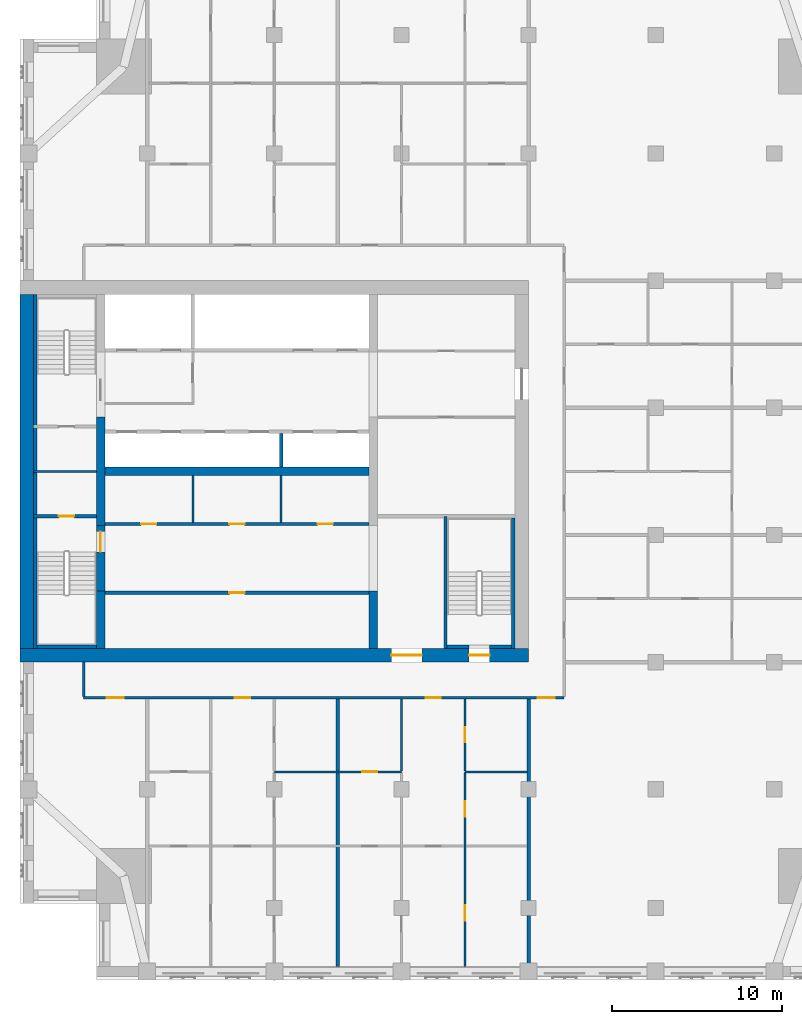
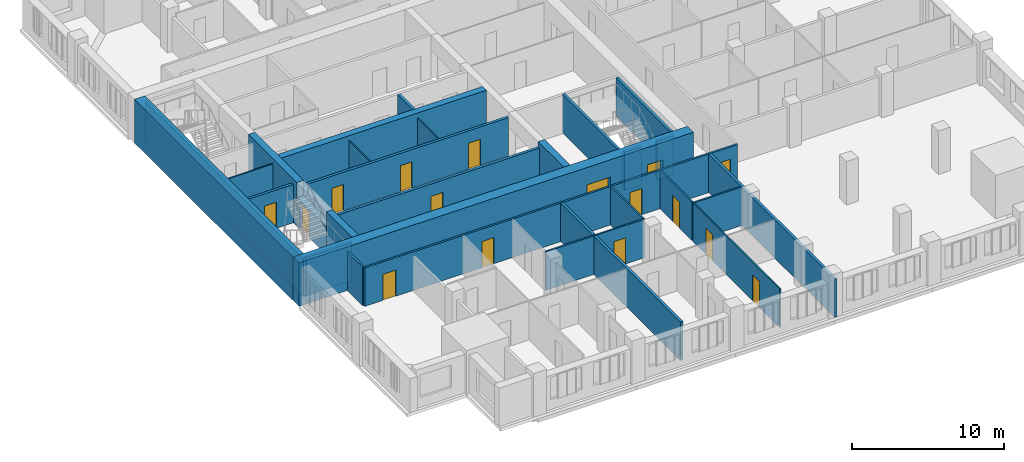
# One storey, part 7 of 14: 29 walls, 16 doors, 16 openings.
"""IFC4 building model written with IfcOpenShell, lengths in metres."""

from ifc_helpers import new_model, si_unit, direction, frame, frame_2d, origin, place, context, subcontext, project, spatial, rectangle, extrude, material, layer, layer_set, type_object, element, fill, save


model = new_model("IFC4")

# Units and contexts
model_context = context("Model", 3, precision=1e-05, world=origin(), true_north=direction((0.0, 1.0)))
body_context = subcontext(model_context, "Body", "Model", "MODEL_VIEW")
ifc_project = project(units=[si_unit("LENGTHUNIT", "METRE"), si_unit("AREAUNIT", "SQUARE_METRE"), si_unit("VOLUMEUNIT", "CUBIC_METRE"), si_unit("PLANEANGLEUNIT", "RADIAN"), si_unit("MASSUNIT", "GRAM", prefix="KILO")], contexts=[model_context])

# Site, building, storey
site_placement = place(None, origin())
site = spatial("IfcSite", under=ifc_project, at=site_placement, CompositionType="ELEMENT")
building_placement = place(site_placement, origin())
building = spatial("IfcBuilding", under=site, at=building_placement, Name="Tamorin Gate", CompositionType="ELEMENT")
storey_placement = place(building_placement, frame((0.0, 0.0, 210.699951171875)))
storey = spatial("IfcBuildingStorey", under=building, at=storey_placement, Name="L52", CompositionType="ELEMENT", Elevation=210.699951171875)

# Wall, openings, doors
ifc_material_1 = material(Name="Gypsum board partition")
ifc_layer_1 = layer(ifc_material_1, 0.14990234375)
ifc_layer_set_1 = layer_set([ifc_layer_1], Name="Corridor wall 150")
wall_type_1 = type_object("IfcWallType", Name="Corridor wall 150", PredefinedType="PARTITIONING", material=ifc_layer_set_1)
wall_1_placement = place(storey_placement, frame((33.75, 57.89990234375, 0.0), z_axis=(0.0, 0.0, 1.0), x_axis=(1.0, 0.0, 0.0)))
wall_1 = element("IfcWall", 1, at=wall_1_placement, inside=storey, type_object=wall_type_1, Name="Corridor wall 150", PredefinedType="PARTITIONING", context=body_context, shape_type="SweptSolid", body=[
    extrude(rectangle(XDim=28.35009765625, YDim=0.14990234375, at=frame_2d((14.175048828125, 0.0))), origin(), (0.0, 0.0, 1.0), 3.10009765625),
])
opening_1_placement = place(wall_1_placement, frame((1.375, 0.0, 0.0)))
opening_1 = element("IfcOpeningElement", 2, at=opening_1_placement, cuts=wall_1, Name="Opening DR2001", PredefinedType="OPENING", context=body_context, shape_type="SweptSolid", body=[
    extrude(rectangle(XDim=1.0, YDim=2.10009765625, at=frame_2d((0.5, 1.050048828125))), frame((0.0, 0.0849609375, 0.0), z_axis=(0.0, -1.0, 0.0), x_axis=(1.0, 0.0, 0.0)), (0.0, 0.0, 1.0), 0.169921875),
])
opening_2_placement = place(wall_1_placement, frame((8.925048828125, 0.0, 0.0)))
opening_2 = element("IfcOpeningElement", 3, at=opening_2_placement, cuts=wall_1, Name="Opening DR2004", PredefinedType="OPENING", context=body_context, shape_type="SweptSolid", body=[
    extrude(rectangle(XDim=0.89990234375, YDim=2.10009765625, at=frame_2d((0.449951171875, 1.050048828125))), frame((0.0, 0.0849609375, 0.0), z_axis=(0.0, -1.0, 0.0), x_axis=(1.0, 0.0, 0.0)), (0.0, 0.0, 1.0), 0.169921875),
])
opening_3_placement = place(wall_1_placement, frame((20.175048828125, 0.0, 0.0)))
opening_3 = element("IfcOpeningElement", 4, at=opening_3_placement, cuts=wall_1, Name="Opening DR2012", PredefinedType="OPENING", context=body_context, shape_type="SweptSolid", body=[
    extrude(rectangle(XDim=0.89990234375, YDim=2.10009765625, at=frame_2d((0.449951171875, 1.050048828125))), frame((0.0, 0.0849609375, 0.0), z_axis=(0.0, -1.0, 0.0), x_axis=(1.0, 0.0, 0.0)), (0.0, 0.0, 1.0), 0.169921875),
])
opening_4_placement = place(wall_1_placement, frame((26.800048828125, 0.0, 0.0)))
opening_4 = element("IfcOpeningElement", 5, at=opening_4_placement, cuts=wall_1, Name="Opening DR2018", PredefinedType="OPENING", context=body_context, shape_type="SweptSolid", body=[
    extrude(rectangle(XDim=1.0, YDim=2.10009765625, at=frame_2d((0.5, 1.050048828125))), frame((0.0, 0.0849609375, 0.0), z_axis=(0.0, -1.0, 0.0), x_axis=(1.0, 0.0, 0.0)), (0.0, 0.0, 1.0), 0.169921875),
])
ifc_material_2 = material(Name="Timber door leaf", Category="wood")
door_type_1 = type_object("IfcDoorType", Name="Door 1000 x 2100 FD30S", OperationType="NOTDEFINED", PredefinedType="DOOR", material=ifc_material_2)
door_1_placement = place(opening_1_placement, origin())
door_1 = element("IfcDoor", 6, at=door_1_placement, inside=storey, type_object=door_type_1, Name="Door DR2001", OperationType="SINGLE_SWING_RIGHT", OverallHeight=2.10009765625, OverallWidth=1.0, PredefinedType="DOOR", context=body_context, shape_type="SweptSolid", body=[
    extrude(rectangle(XDim=1.0, YDim=2.10009765625, at=frame_2d((0.5, 1.050048828125))), frame((0.0, 0.02490234375, 0.0), z_axis=(0.0, -1.0, 0.0), x_axis=(1.0, 0.0, 0.0)), (0.0, 0.0, 1.0), 0.050048828125),
])
fill(opening_1, door_1)
door_2_placement = place(opening_4_placement, origin())
door_2 = element("IfcDoor", 7, at=door_2_placement, inside=storey, type_object=door_type_1, Name="Door DR2018", OperationType="SINGLE_SWING_RIGHT", OverallHeight=2.10009765625, OverallWidth=1.0, PredefinedType="DOOR", context=body_context, shape_type="SweptSolid", body=[
    extrude(rectangle(XDim=1.0, YDim=2.10009765625, at=frame_2d((0.5, 1.050048828125))), frame((0.0, 0.02490234375, 0.0), z_axis=(0.0, -1.0, 0.0), x_axis=(1.0, 0.0, 0.0)), (0.0, 0.0, 1.0), 0.050048828125),
])
fill(opening_4, door_2)
door_type_2 = type_object("IfcDoorType", Name="Door 900 x 2100 FD30S", OperationType="NOTDEFINED", PredefinedType="DOOR", material=ifc_material_2)
door_3_placement = place(opening_2_placement, origin())
door_3 = element("IfcDoor", 8, at=door_3_placement, inside=storey, type_object=door_type_2, Name="Door DR2004", OperationType="SINGLE_SWING_RIGHT", OverallHeight=2.10009765625, OverallWidth=0.89990234375, PredefinedType="DOOR", context=body_context, shape_type="SweptSolid", body=[
    extrude(rectangle(XDim=0.89990234375, YDim=2.10009765625, at=frame_2d((0.449951171875, 1.050048828125))), frame((0.0, 0.02490234375, 0.0), z_axis=(0.0, -1.0, 0.0), x_axis=(1.0, 0.0, 0.0)), (0.0, 0.0, 1.0), 0.050048828125),
])
fill(opening_2, door_3)
door_4_placement = place(opening_3_placement, origin())
door_4 = element("IfcDoor", 9, at=door_4_placement, inside=storey, type_object=door_type_2, Name="Door DR2012", OperationType="SINGLE_SWING_RIGHT", OverallHeight=2.10009765625, OverallWidth=0.89990234375, PredefinedType="DOOR", context=body_context, shape_type="SweptSolid", body=[
    extrude(rectangle(XDim=0.89990234375, YDim=2.10009765625, at=frame_2d((0.449951171875, 1.050048828125))), frame((0.0, 0.02490234375, 0.0), z_axis=(0.0, -1.0, 0.0), x_axis=(1.0, 0.0, 0.0)), (0.0, 0.0, 1.0), 0.050048828125),
])
fill(opening_3, door_4)

# Walls
wall_2_placement = place(storey_placement, frame((33.75, 57.97509765625, 0.0), z_axis=(0.0, 0.0, 1.0), x_axis=(0.0, 1.0, 0.0)))
element("IfcWall", 10, at=wall_2_placement, inside=storey, type_object=wall_type_1, Name="Corridor wall 150", PredefinedType="PARTITIONING", context=body_context, shape_type="SweptSolid", body=[
    extrude(rectangle(XDim=2.02490234375, YDim=0.14990234375, at=frame_2d((1.012451171875, 0.0))), origin(), (0.0, 0.0, 1.0), 3.10009765625),
])
ifc_layer_2 = layer(ifc_material_1, 0.199951171875)
ifc_layer_set_2 = layer_set([ifc_layer_2], Name="Demising wall 200")
wall_type_2 = type_object("IfcWallType", Name="Demising wall 200", PredefinedType="PARTITIONING", material=ifc_layer_set_2)
wall_3_placement = place(storey_placement, frame((48.75, 42.06005859375, 0.0), z_axis=(0.0, 0.0, 1.0), x_axis=(0.0, 1.0, 0.0)))
element("IfcWall", 11, at=wall_3_placement, inside=storey, type_object=wall_type_2, Name="Demising wall 200", PredefinedType="PARTITIONING", context=body_context, shape_type="SweptSolid", body=[
    extrude(rectangle(XDim=15.764892578125, YDim=0.199951171875, at=frame_2d((7.88232421875, 0.0))), origin(), (0.0, 0.0, 1.0), 3.10009765625),
])
wall_4_placement = place(storey_placement, frame((60.0, 41.25, 0.0), z_axis=(0.0, 0.0, 1.0), x_axis=(0.0, 1.0, 0.0)))
element("IfcWall", 12, at=wall_4_placement, inside=storey, type_object=wall_type_2, Name="Demising wall 200", PredefinedType="PARTITIONING", context=body_context, shape_type="SweptSolid", body=[
    extrude(rectangle(XDim=16.574951171875, YDim=0.199951171875, at=frame_2d((8.28759765625, 0.0))), origin(), (0.0, 0.0, 1.0), 3.10009765625),
])
ifc_material_3 = material(Name="Concrete C32/40", Category="concrete")
ifc_layer_3 = layer(ifc_material_3, 0.199951171875)
ifc_layer_set_3 = layer_set([ifc_layer_3], Name="Lift shaft wall 200 EI 120")
wall_type_3 = type_object("IfcWallType", Name="Lift shaft wall 200 EI 120", PredefinedType="SOLIDWALL", material=ifc_layer_set_3)
wall_5_placement = place(storey_placement, frame((45.39990234375, 71.5, 0.0), z_axis=(0.0, 0.0, 1.0), x_axis=(0.0, 1.0, 0.0)))
element("IfcWall", 13, at=wall_5_placement, inside=storey, type_object=wall_type_3, Name="Lift shaft wall", PredefinedType="SOLIDWALL", context=body_context, shape_type="SweptSolid", body=[
    extrude(rectangle(XDim=2.0, YDim=0.199951171875, at=frame_2d((1.0, 0.0))), origin(), (0.0, 0.0, 1.0), 3.5),
])
ifc_material_4 = material(Name="Concrete C60/75", Category="concrete")
ifc_layer_4 = layer(ifc_material_4, 0.5)
ifc_layer_set_4 = layer_set([ifc_layer_4], Name="RC core internal wall 500 C60/75")
wall_type_4 = type_object("IfcWallType", Name="RC core internal wall 500 C60/75", PredefinedType="SHEAR", material=ifc_layer_set_4)
wall_6_placement = place(storey_placement, frame((35.0, 71.25, 0.0), z_axis=(0.0, 0.0, 1.0), x_axis=(1.0, 0.0, 0.0)))
element("IfcWall", 14, at=wall_6_placement, inside=storey, type_object=wall_type_4, Name="Core spine wall L52", PredefinedType="SHEAR", context=body_context, shape_type="SweptSolid", body=[
    extrude(rectangle(XDim=15.60009765625, YDim=0.5, at=frame_2d((7.800048828125, 0.0))), origin(), (0.0, 0.0, 1.0), 3.5),
])
wall_7_placement = place(storey_placement, frame((34.75, 60.800048828125, 0.0), z_axis=(0.0, 0.0, 1.0), x_axis=(0.0, 1.0, 0.0)))
element("IfcWall", 15, at=wall_7_placement, inside=storey, type_object=wall_type_4, Name="Core cross wall L52", PredefinedType="SHEAR", context=body_context, shape_type="SweptSolid", body=[
    extrude(rectangle(XDim=3.39990234375, YDim=0.5, at=frame_2d((1.699951171875, 0.0))), origin(), (0.0, 0.0, 1.0), 3.5),
])
wall_8_placement = place(storey_placement, frame((34.75, 68.050048828125, 0.0), z_axis=(0.0, 0.0, 1.0), x_axis=(0.0, 1.0, 0.0)))
element("IfcWall", 16, at=wall_8_placement, inside=storey, type_object=wall_type_4, Name="Core cross wall L52", PredefinedType="SHEAR", context=body_context, shape_type="SweptSolid", body=[
    extrude(rectangle(XDim=6.39990234375, YDim=0.5, at=frame_2d((3.199951171875, 0.0))), origin(), (0.0, 0.0, 1.0), 3.5),
])
wall_9_placement = place(storey_placement, frame((50.85009765625, 60.800048828125, 0.0), z_axis=(0.0, 0.0, 1.0), x_axis=(0.0, 1.0, 0.0)))
element("IfcWall", 17, at=wall_9_placement, inside=storey, type_object=wall_type_4, Name="Core cross wall L52", PredefinedType="SHEAR", context=body_context, shape_type="SweptSolid", body=[
    extrude(rectangle(XDim=3.39990234375, YDim=0.5, at=frame_2d((1.699951171875, 0.0))), origin(), (0.0, 0.0, 1.0), 3.5),
])

# Wall, openings, doors
ifc_layer_5 = layer(ifc_material_4, 0.800048828125)
ifc_layer_set_5 = layer_set([ifc_layer_5], Name="RC core wall 800 C60/75")
wall_type_5 = type_object("IfcWallType", Name="RC core wall 800 C60/75", PredefinedType="SHEAR", material=ifc_layer_set_5)
wall_10_placement = place(storey_placement, frame((30.0, 60.39990234375, 0.0), z_axis=(0.0, 0.0, 1.0), x_axis=(1.0, 0.0, 0.0)))
wall_10 = element("IfcWall", 18, at=wall_10_placement, inside=storey, type_object=wall_type_5, Name="Core wall L52", PredefinedType="SHEAR", context=body_context, shape_type="SweptSolid", body=[
    extrude(rectangle(XDim=30.0, YDim=0.800048828125, at=frame_2d((15.0, 0.0))), origin(), (0.0, 0.0, 1.0), 3.5),
])
opening_5_placement = place(wall_10_placement, frame((21.89990234375, 0.0, 0.0)))
opening_5 = element("IfcOpeningElement", 19, at=opening_5_placement, cuts=wall_10, Name="Opening DE1", PredefinedType="OPENING", context=body_context, shape_type="SweptSolid", body=[
    extrude(rectangle(XDim=1.800048828125, YDim=2.10009765625, at=frame_2d((0.89990234375, 1.050048828125))), frame((0.0, 0.409912109375, 0.0), z_axis=(0.0, -1.0, 0.0), x_axis=(1.0, 0.0, 0.0)), (0.0, 0.0, 1.0), 0.820068359375),
])
opening_6_placement = place(wall_10_placement, frame((26.5, 0.0, 0.0)))
opening_6 = element("IfcOpeningElement", 20, at=opening_6_placement, cuts=wall_10, Name="Opening DS1", PredefinedType="OPENING", context=body_context, shape_type="SweptSolid", body=[
    extrude(rectangle(XDim=1.199951171875, YDim=2.10009765625, at=frame_2d((0.60009765625, 1.050048828125))), frame((0.0, 0.409912109375, 0.0), z_axis=(0.0, -1.0, 0.0), x_axis=(1.0, 0.0, 0.0)), (0.0, 0.0, 1.0), 0.820068359375),
])
ifc_material_5 = material(Name="Steel fire door", Category="steel")
door_type_3 = type_object("IfcDoorType", Name="Lobby exit double door 1800 x 2100 EI 60", OperationType="DOUBLE_DOOR_SINGLE_SWING", PredefinedType="DOOR", material=ifc_material_5)
door_5_placement = place(opening_5_placement, origin())
door_5 = element("IfcDoor", 21, at=door_5_placement, inside=storey, type_object=door_type_3, Name="Lift lobby A exit door", OperationType="DOUBLE_DOOR_SINGLE_SWING", OverallHeight=2.10009765625, OverallWidth=1.800048828125, PredefinedType="DOOR", context=body_context, shape_type="SweptSolid", body=[
    extrude(rectangle(XDim=1.800048828125, YDim=2.10009765625, at=frame_2d((0.89990234375, 1.050048828125))), frame((0.0, 0.02490234375, 0.0), z_axis=(0.0, -1.0, 0.0), x_axis=(1.0, 0.0, 0.0)), (0.0, 0.0, 1.0), 0.050048828125),
])
fill(opening_5, door_5)
door_type_4 = type_object("IfcDoorType", Name="Stair door 1200 x 2100 EI 90", OperationType="SINGLE_SWING_LEFT", PredefinedType="DOOR", material=ifc_material_5)
door_6_placement = place(opening_6_placement, origin())
door_6 = element("IfcDoor", 22, at=door_6_placement, inside=storey, type_object=door_type_4, Name="ST3 door", OperationType="SINGLE_SWING_LEFT", OverallHeight=2.10009765625, OverallWidth=1.199951171875, PredefinedType="DOOR", context=body_context, shape_type="SweptSolid", body=[
    extrude(rectangle(XDim=1.199951171875, YDim=2.10009765625, at=frame_2d((0.60009765625, 1.050048828125))), frame((0.0, 0.02490234375, 0.0), z_axis=(0.0, -1.0, 0.0), x_axis=(1.0, 0.0, 0.0)), (0.0, 0.0, 1.0), 0.050048828125),
])
fill(opening_6, door_6)

# Walls
wall_11_placement = place(storey_placement, frame((30.39990234375, 60.800048828125, 0.0), z_axis=(0.0, 0.0, 1.0), x_axis=(0.0, 1.0, 0.0)))
element("IfcWall", 23, at=wall_11_placement, inside=storey, type_object=wall_type_5, Name="Core wall L52", PredefinedType="SHEAR", context=body_context, shape_type="SweptSolid", body=[
    extrude(rectangle(XDim=20.89990234375, YDim=0.800048828125, at=frame_2d((10.449951171875, 0.0))), origin(), (0.0, 0.0, 1.0), 3.5),
])
ifc_material_6 = material(Name="Fire-rated gypsum board partition")
ifc_layer_6 = layer(ifc_material_6, 0.10009765625)
ifc_layer_set_6 = layer_set([ifc_layer_6], Name="Riser partition 100 EI 120")
wall_type_6 = type_object("IfcWallType", Name="Riser partition 100 EI 120", PredefinedType="PARTITIONING", material=ifc_layer_set_6)
wall_12_placement = place(storey_placement, frame((30.800048828125, 71.25, 0.0), z_axis=(0.0, 0.0, 1.0), x_axis=(1.0, 0.0, 0.0)))
element("IfcWall", 24, at=wall_12_placement, inside=storey, type_object=wall_type_6, Name="Riser partition", PredefinedType="PARTITIONING", context=body_context, shape_type="SweptSolid", body=[
    extrude(rectangle(XDim=3.699951171875, YDim=0.10009765625, at=frame_2d((1.85009765625, 0.0))), origin(), (0.0, 0.0, 1.0), 3.090087890625),
])

# Wall, openings, doors
ifc_layer_7 = layer(ifc_material_1, 0.10009765625)
ifc_layer_set_7 = layer_set([ifc_layer_7], Name="Room partition 100")
wall_type_7 = type_object("IfcWallType", Name="Room partition 100", PredefinedType="PARTITIONING", material=ifc_layer_set_7)
wall_13_placement = place(storey_placement, frame((56.25, 42.06005859375, 0.0), z_axis=(0.0, 0.0, 1.0), x_axis=(0.0, 1.0, 0.0)))
wall_13 = element("IfcWall", 25, at=wall_13_placement, inside=storey, type_object=wall_type_7, Name="Room partition 100", PredefinedType="PARTITIONING", context=body_context, shape_type="SweptSolid", body=[
    extrude(rectangle(XDim=11.40234375, YDim=0.10009765625, at=frame_2d((5.701171875, 0.0))), origin(), (0.0, 0.0, 1.0), 3.10009765625),
])
opening_7_placement = place(wall_13_placement, frame((8.827392578125, 0.0, 0.0)))
opening_7 = element("IfcOpeningElement", 26, at=opening_7_placement, cuts=wall_13, Name="Opening DR2014", PredefinedType="OPENING", context=body_context, shape_type="SweptSolid", body=[
    extrude(rectangle(XDim=0.89990234375, YDim=2.10009765625, at=frame_2d((0.449951171875, 1.050048828125))), frame((0.0, 0.06005859375, 0.0), z_axis=(0.0, -1.0, 0.0), x_axis=(1.0, 0.0, 0.0)), (0.0, 0.0, 1.0), 0.1201171875),
])
opening_8_placement = place(wall_13_placement, frame((2.68994140625, 0.0, 0.0)))
opening_8 = element("IfcOpeningElement", 27, at=opening_8_placement, cuts=wall_13, Name="Opening DR2017", PredefinedType="OPENING", context=body_context, shape_type="SweptSolid", body=[
    extrude(rectangle(XDim=0.89990234375, YDim=2.10009765625, at=frame_2d((0.449951171875, 1.050048828125))), frame((0.0, 0.06005859375, 0.0), z_axis=(0.0, -1.0, 0.0), x_axis=(1.0, 0.0, 0.0)), (0.0, 0.0, 1.0), 0.1201171875),
])
door_type_5 = type_object("IfcDoorType", Name="Door 900 x 2100", OperationType="NOTDEFINED", PredefinedType="DOOR", material=ifc_material_2)
door_7_placement = place(opening_7_placement, origin())
door_7 = element("IfcDoor", 28, at=door_7_placement, inside=storey, type_object=door_type_5, Name="Door DR2014", OperationType="SINGLE_SWING_RIGHT", OverallHeight=2.10009765625, OverallWidth=0.89990234375, PredefinedType="DOOR", context=body_context, shape_type="SweptSolid", body=[
    extrude(rectangle(XDim=0.89990234375, YDim=2.10009765625, at=frame_2d((0.449951171875, 1.050048828125))), frame((0.0, 0.02490234375, 0.0), z_axis=(0.0, -1.0, 0.0), x_axis=(1.0, 0.0, 0.0)), (0.0, 0.0, 1.0), 0.050048828125),
])
fill(opening_7, door_7)
door_8_placement = place(opening_8_placement, origin())
door_8 = element("IfcDoor", 29, at=door_8_placement, inside=storey, type_object=door_type_5, Name="Door DR2017", OperationType="SINGLE_SWING_LEFT", OverallHeight=2.10009765625, OverallWidth=0.89990234375, PredefinedType="DOOR", context=body_context, shape_type="SweptSolid", body=[
    extrude(rectangle(XDim=0.89990234375, YDim=2.10009765625, at=frame_2d((0.449951171875, 1.050048828125))), frame((0.0, 0.02490234375, 0.0), z_axis=(0.0, -1.0, 0.0), x_axis=(1.0, 0.0, 0.0)), (0.0, 0.0, 1.0), 0.050048828125),
])
fill(opening_8, door_8)

# Wall, opening, door
ifc_layer_8 = layer(ifc_material_1, 0.199951171875)
ifc_layer_set_8 = layer_set([ifc_layer_8], Name="Service room face wall 200 EI 60")
wall_type_8 = type_object("IfcWallType", Name="Service room face wall 200 EI 60", PredefinedType="PARTITIONING", material=ifc_layer_set_8)
wall_14_placement = place(storey_placement, frame((35.0, 64.10009765625, 0.0), z_axis=(0.0, 0.0, 1.0), x_axis=(1.0, 0.0, 0.0)))
wall_14 = element("IfcWall", 30, at=wall_14_placement, inside=storey, type_object=wall_type_8, Name="Service room face wall", PredefinedType="PARTITIONING", context=body_context, shape_type="SweptSolid", body=[
    extrude(rectangle(XDim=15.60009765625, YDim=0.199951171875, at=frame_2d((7.800048828125, 0.0))), origin(), (0.0, 0.0, 1.0), 3.090087890625),
])
opening_9_placement = place(wall_14_placement, frame((7.35009765625, 0.0, 0.0)))
opening_9 = element("IfcOpeningElement", 31, at=opening_9_placement, cuts=wall_14, Name="Opening DK1", PredefinedType="OPENING", context=body_context, shape_type="SweptSolid", body=[
    extrude(rectangle(XDim=0.89990234375, YDim=2.10009765625, at=frame_2d((0.449951171875, 1.050048828125))), frame((0.0, 0.10986328125, 0.0), z_axis=(0.0, -1.0, 0.0), x_axis=(1.0, 0.0, 0.0)), (0.0, 0.0, 1.0), 0.219970703125),
])
ifc_material_7 = material(Name="Timber fire door", Category="wood")
door_type_6 = type_object("IfcDoorType", Name="Service room door 900 x 2100 EI 60", OperationType="SINGLE_SWING_LEFT", PredefinedType="DOOR", material=ifc_material_7)
door_9_placement = place(opening_9_placement, origin())
door_9 = element("IfcDoor", 32, at=door_9_placement, inside=storey, type_object=door_type_6, Name="Door Resident storage room", OperationType="SINGLE_SWING_RIGHT", OverallHeight=2.10009765625, OverallWidth=0.89990234375, PredefinedType="DOOR", context=body_context, shape_type="SweptSolid", body=[
    extrude(rectangle(XDim=0.89990234375, YDim=2.10009765625, at=frame_2d((0.449951171875, 1.050048828125))), frame((0.0, 0.02490234375, 0.0), z_axis=(0.0, -1.0, 0.0), x_axis=(1.0, 0.0, 0.0)), (0.0, 0.0, 1.0), 0.050048828125),
])
fill(opening_9, door_9)

# Wall, openings, doors
wall_15_placement = place(storey_placement, frame((35.0, 68.14990234375, 0.0), z_axis=(0.0, 0.0, 1.0), x_axis=(1.0, 0.0, 0.0)))
wall_15 = element("IfcWall", 33, at=wall_15_placement, inside=storey, type_object=wall_type_8, Name="Service room face wall", PredefinedType="PARTITIONING", context=body_context, shape_type="SweptSolid", body=[
    extrude(rectangle(XDim=15.60009765625, YDim=0.199951171875, at=frame_2d((7.800048828125, 0.0))), origin(), (0.0, 0.0, 1.0), 3.090087890625),
])
opening_10_placement = place(wall_15_placement, frame((2.14990234375, 0.0, 0.0)))
opening_10 = element("IfcOpeningElement", 34, at=opening_10_placement, cuts=wall_15, Name="Opening DK1", PredefinedType="OPENING", context=body_context, shape_type="SweptSolid", body=[
    extrude(rectangle(XDim=0.89990234375, YDim=2.10009765625, at=frame_2d((0.449951171875, 1.050048828125))), frame((0.0, 0.10986328125, 0.0), z_axis=(0.0, -1.0, 0.0), x_axis=(1.0, 0.0, 0.0)), (0.0, 0.0, 1.0), 0.219970703125),
])
opening_11_placement = place(wall_15_placement, frame((7.35009765625, 0.0, 0.0)))
opening_11 = element("IfcOpeningElement", 35, at=opening_11_placement, cuts=wall_15, Name="Opening DK1", PredefinedType="OPENING", context=body_context, shape_type="SweptSolid", body=[
    extrude(rectangle(XDim=0.89990234375, YDim=2.10009765625, at=frame_2d((0.449951171875, 1.050048828125))), frame((0.0, 0.10986328125, 0.0), z_axis=(0.0, -1.0, 0.0), x_axis=(1.0, 0.0, 0.0)), (0.0, 0.0, 1.0), 0.219970703125),
])
opening_12_placement = place(wall_15_placement, frame((12.550048828125, 0.0, 0.0)))
opening_12 = element("IfcOpeningElement", 36, at=opening_12_placement, cuts=wall_15, Name="Opening DK1", PredefinedType="OPENING", context=body_context, shape_type="SweptSolid", body=[
    extrude(rectangle(XDim=0.89990234375, YDim=2.10009765625, at=frame_2d((0.449951171875, 1.050048828125))), frame((0.0, 0.10986328125, 0.0), z_axis=(0.0, -1.0, 0.0), x_axis=(1.0, 0.0, 0.0)), (0.0, 0.0, 1.0), 0.219970703125),
])
door_10_placement = place(opening_10_placement, origin())
door_10 = element("IfcDoor", 37, at=door_10_placement, inside=storey, type_object=door_type_6, Name="Door Cleaner's store", OperationType="SINGLE_SWING_RIGHT", OverallHeight=2.10009765625, OverallWidth=0.89990234375, PredefinedType="DOOR", context=body_context, shape_type="SweptSolid", body=[
    extrude(rectangle(XDim=0.89990234375, YDim=2.10009765625, at=frame_2d((0.449951171875, 1.050048828125))), frame((0.0, 0.02490234375, 0.0), z_axis=(0.0, -1.0, 0.0), x_axis=(1.0, 0.0, 0.0)), (0.0, 0.0, 1.0), 0.050048828125),
])
fill(opening_10, door_10)
door_11_placement = place(opening_11_placement, origin())
door_11 = element("IfcDoor", 38, at=door_11_placement, inside=storey, type_object=door_type_6, Name="Door Pantry", OperationType="SINGLE_SWING_LEFT", OverallHeight=2.10009765625, OverallWidth=0.89990234375, PredefinedType="DOOR", context=body_context, shape_type="SweptSolid", body=[
    extrude(rectangle(XDim=0.89990234375, YDim=2.10009765625, at=frame_2d((0.449951171875, 1.050048828125))), frame((0.0, 0.02490234375, 0.0), z_axis=(0.0, -1.0, 0.0), x_axis=(1.0, 0.0, 0.0)), (0.0, 0.0, 1.0), 0.050048828125),
])
fill(opening_11, door_11)
door_12_placement = place(opening_12_placement, origin())
door_12 = element("IfcDoor", 39, at=door_12_placement, inside=storey, type_object=door_type_6, Name="Door IT room", OperationType="SINGLE_SWING_RIGHT", OverallHeight=2.10009765625, OverallWidth=0.89990234375, PredefinedType="DOOR", context=body_context, shape_type="SweptSolid", body=[
    extrude(rectangle(XDim=0.89990234375, YDim=2.10009765625, at=frame_2d((0.449951171875, 1.050048828125))), frame((0.0, 0.02490234375, 0.0), z_axis=(0.0, -1.0, 0.0), x_axis=(1.0, 0.0, 0.0)), (0.0, 0.0, 1.0), 0.050048828125),
])
fill(opening_12, door_12)

# Walls
ifc_layer_9 = layer(ifc_material_1, 0.10009765625)
ifc_layer_set_9 = layer_set([ifc_layer_9], Name="Service room partition 100 EI 60")
wall_type_9 = type_object("IfcWallType", Name="Service room partition 100 EI 60", PredefinedType="PARTITIONING", material=ifc_layer_set_9)
for number, where, z_axis, x_axis, name in (
    (40, (40.199951171875, 68.25, 0.0), (0.0, 0.0, 1.0), (0.0, 1.0, 0.0), "Service room partition"),
    (41, (45.39990234375, 68.25, 0.0), (0.0, 0.0, 1.0), (0.0, 1.0, 0.0), "Service room partition"),
):
    element("IfcWall", number, at=place(storey_placement, frame(where, z_axis=z_axis, x_axis=x_axis)), inside=storey, type_object=wall_type_9, Name=name, PredefinedType="PARTITIONING", context=body_context, shape_type="SweptSolid", body=[
        extrude(rectangle(XDim=2.75, YDim=0.10009765625, at=frame_2d((1.375, 0.0))), origin(), (0.0, 0.0, 1.0), 3.090087890625),
    ])

# Wall, opening, door
ifc_material_8 = material(Name="Concrete C40/50", Category="concrete")
ifc_layer_10 = layer(ifc_material_8, 0.199951171875)
ifc_layer_set_10 = layer_set([ifc_layer_10], Name="Stair enclosure wall 200 EI 120 C40/50")
wall_type_10 = type_object("IfcWallType", Name="Stair enclosure wall 200 EI 120 C40/50", PredefinedType="SOLIDWALL", material=ifc_layer_set_10)
wall_16_placement = place(storey_placement, frame((30.800048828125, 68.60009765625, 0.0), z_axis=(0.0, 0.0, 1.0), x_axis=(1.0, 0.0, 0.0)))
wall_16 = element("IfcWall", 42, at=wall_16_placement, inside=storey, type_object=wall_type_10, Name="Stair enclosure wall", PredefinedType="SOLIDWALL", context=body_context, shape_type="SweptSolid", body=[
    extrude(rectangle(XDim=3.699951171875, YDim=0.199951171875, at=frame_2d((1.85009765625, 0.0))), origin(), (0.0, 0.0, 1.0), 3.090087890625),
])
opening_13_placement = place(wall_16_placement, frame((1.5, 0.0, 0.0)))
opening_13 = element("IfcOpeningElement", 43, at=opening_13_placement, cuts=wall_16, Name="Opening DR1", PredefinedType="OPENING", context=body_context, shape_type="SweptSolid", body=[
    extrude(rectangle(XDim=0.89990234375, YDim=2.10009765625, at=frame_2d((0.449951171875, 1.050048828125))), frame((0.0, 0.10986328125, 0.0), z_axis=(0.0, -1.0, 0.0), x_axis=(1.0, 0.0, 0.0)), (0.0, 0.0, 1.0), 0.219970703125),
])
door_type_7 = type_object("IfcDoorType", Name="Riser access door 900 x 2100 EI 120", OperationType="SINGLE_SWING_LEFT", PredefinedType="DOOR", material=ifc_material_5)
door_13_placement = place(opening_13_placement, origin())
door_13 = element("IfcDoor", 44, at=door_13_placement, inside=storey, type_object=door_type_7, Name="Electrical riser door", OperationType="SINGLE_SWING_LEFT", OverallHeight=2.10009765625, OverallWidth=0.89990234375, PredefinedType="DOOR", context=body_context, shape_type="SweptSolid", body=[
    extrude(rectangle(XDim=0.89990234375, YDim=2.10009765625, at=frame_2d((0.449951171875, 1.050048828125))), frame((0.0, 0.02490234375, 0.0), z_axis=(0.0, -1.0, 0.0), x_axis=(1.0, 0.0, 0.0)), (0.0, 0.0, 1.0), 0.050048828125),
])
fill(opening_13, door_13)

# Walls
wall_17_placement = place(storey_placement, frame((55.10009765625, 60.800048828125, 0.0), z_axis=(0.0, 0.0, 1.0), x_axis=(0.0, 1.0, 0.0)))
element("IfcWall", 45, at=wall_17_placement, inside=storey, type_object=wall_type_10, Name="Stair enclosure wall", PredefinedType="SOLIDWALL", context=body_context, shape_type="SweptSolid", body=[
    extrude(rectangle(XDim=7.800048828125, YDim=0.199951171875, at=frame_2d((3.89990234375, 0.0))), origin(), (0.0, 0.0, 1.0), 3.090087890625),
])
ifc_layer_11 = layer(ifc_material_4, 0.199951171875)
ifc_layer_set_11 = layer_set([ifc_layer_11], Name="Stair lining wall 200 EI 120 C60/75")
wall_type_11 = type_object("IfcWallType", Name="Stair lining wall 200 EI 120 C60/75", PredefinedType="SOLIDWALL", material=ifc_layer_set_11)
wall_18_placement = place(storey_placement, frame((30.89990234375, 60.800048828125, 0.0), z_axis=(0.0, 0.0, 1.0), x_axis=(0.0, 1.0, 0.0)))
element("IfcWall", 46, at=wall_18_placement, inside=storey, type_object=wall_type_11, Name="Stair lining wall", PredefinedType="SOLIDWALL", context=body_context, shape_type="SweptSolid", body=[
    extrude(rectangle(XDim=20.89990234375, YDim=0.199951171875, at=frame_2d((10.449951171875, 0.0))), origin(), (0.0, 0.0, 1.0), 3.090087890625),
])
wall_19_placement = place(storey_placement, frame((31.0, 60.89990234375, 0.0), z_axis=(0.0, 0.0, 1.0), x_axis=(1.0, 0.0, 0.0)))
element("IfcWall", 47, at=wall_19_placement, inside=storey, type_object=wall_type_11, Name="Stair lining wall", PredefinedType="SOLIDWALL", context=body_context, shape_type="SweptSolid", body=[
    extrude(rectangle(XDim=3.5, YDim=0.199951171875, at=frame_2d((1.75, 0.0))), origin(), (0.0, 0.0, 1.0), 3.090087890625),
])
for number, where, z_axis, x_axis, name in (
    (48, (55.199951171875, 60.89990234375, 0.0), (0.0, 0.0, 1.0), (1.0, 0.0, 0.0), "Stair lining wall"),
    (49, (57.699951171875, 60.89990234375, 0.0), (0.0, 0.0, 1.0), (1.0, 0.0, 0.0), "Stair lining wall"),
):
    element("IfcWall", number, at=place(storey_placement, frame(where, z_axis=z_axis, x_axis=x_axis)), inside=storey, type_object=wall_type_11, Name=name, PredefinedType="SOLIDWALL", context=body_context, shape_type="SweptSolid", body=[
        extrude(rectangle(XDim=1.300048828125, YDim=0.199951171875, at=frame_2d((0.64990234375, 0.0))), origin(), (0.0, 0.0, 1.0), 3.090087890625),
    ])
wall_20_placement = place(storey_placement, frame((59.10009765625, 60.800048828125, 0.0), z_axis=(0.0, 0.0, 1.0), x_axis=(0.0, 1.0, 0.0)))
element("IfcWall", 50, at=wall_20_placement, inside=storey, type_object=wall_type_11, Name="Stair lining wall", PredefinedType="SOLIDWALL", context=body_context, shape_type="SweptSolid", body=[
    extrude(rectangle(XDim=7.699951171875, YDim=0.199951171875, at=frame_2d((3.85009765625, 0.0))), origin(), (0.0, 0.0, 1.0), 3.090087890625),
])

# Wall, opening, door
ifc_layer_12 = layer(ifc_material_3, 0.5)
ifc_layer_set_12 = layer_set([ifc_layer_12], Name="Stair lobby infill wall 500 EI 120")
wall_type_12 = type_object("IfcWallType", Name="Stair lobby infill wall 500 EI 120", PredefinedType="SOLIDWALL", material=ifc_layer_set_12)
wall_21_placement = place(storey_placement, frame((34.75, 64.199951171875, 0.0), z_axis=(0.0, 0.0, 1.0), x_axis=(0.0, 1.0, 0.0)))
wall_21 = element("IfcWall", 51, at=wall_21_placement, inside=storey, type_object=wall_type_12, Name="Stair lobby infill wall", PredefinedType="SOLIDWALL", context=body_context, shape_type="SweptSolid", body=[
    extrude(rectangle(XDim=3.85009765625, YDim=0.5, at=frame_2d((1.925048828125, 0.0))), origin(), (0.0, 0.0, 1.0), 2.300048828125),
])
opening_14_placement = place(wall_21_placement, frame((2.300048828125, 0.0, 0.0)))
opening_14 = element("IfcOpeningElement", 52, at=opening_14_placement, cuts=wall_21, Name="Opening DS1", PredefinedType="OPENING", context=body_context, shape_type="SweptSolid", body=[
    extrude(rectangle(XDim=1.199951171875, YDim=2.10009765625, at=frame_2d((0.60009765625, 1.050048828125))), frame((0.0, 0.260009765625, 0.0), z_axis=(0.0, -1.0, 0.0), x_axis=(1.0, 0.0, 0.0)), (0.0, 0.0, 1.0), 0.52001953125),
])
door_14_placement = place(opening_14_placement, origin())
door_14 = element("IfcDoor", 53, at=door_14_placement, inside=storey, type_object=door_type_4, Name="ST1 door", OperationType="SINGLE_SWING_LEFT", OverallHeight=2.10009765625, OverallWidth=1.199951171875, PredefinedType="DOOR", context=body_context, shape_type="SweptSolid", body=[
    extrude(rectangle(XDim=1.199951171875, YDim=2.10009765625, at=frame_2d((0.60009765625, 1.050048828125))), frame((0.0, 0.02490234375, 0.0), z_axis=(0.0, -1.0, 0.0), x_axis=(1.0, 0.0, 0.0)), (0.0, 0.0, 1.0), 0.050048828125),
])
fill(opening_14, door_14)

ifc_layer_13 = layer(ifc_material_1, 0.125)
ifc_layer_set_13 = layer_set([ifc_layer_13], Name="Wet wall 125")
wall_type_13 = type_object("IfcWallType", Name="Wet wall 125", PredefinedType="PARTITIONING", material=ifc_layer_set_13)
wall_22_placement = place(storey_placement, frame((45.0, 53.52490234375, 0.0), z_axis=(0.0, 0.0, 1.0), x_axis=(1.0, 0.0, 0.0)))
wall_22 = element("IfcWall", 54, at=wall_22_placement, inside=storey, type_object=wall_type_13, Name="Wet wall 125", PredefinedType="PARTITIONING", context=body_context, shape_type="SweptSolid", body=[
    extrude(rectangle(XDim=7.5, YDim=0.125, at=frame_2d((3.75, 0.0))), origin(), (0.0, 0.0, 1.0), 3.10009765625),
])
opening_15_placement = place(wall_22_placement, frame((5.175048828125, 0.0, 0.0)))
opening_15 = element("IfcOpeningElement", 55, at=opening_15_placement, cuts=wall_22, Name="Opening DR2011", PredefinedType="OPENING", context=body_context, shape_type="SweptSolid", body=[
    extrude(rectangle(XDim=0.89990234375, YDim=2.10009765625, at=frame_2d((0.449951171875, 1.050048828125))), frame((0.0, 0.072509765625, 0.0), z_axis=(0.0, -1.0, 0.0), x_axis=(1.0, 0.0, 0.0)), (0.0, 0.0, 1.0), 0.14501953125),
])
door_15_placement = place(opening_15_placement, origin())
door_15 = element("IfcDoor", 56, at=door_15_placement, inside=storey, type_object=door_type_5, Name="Door DR2011", OperationType="SINGLE_SWING_LEFT", OverallHeight=2.10009765625, OverallWidth=0.89990234375, PredefinedType="DOOR", context=body_context, shape_type="SweptSolid", body=[
    extrude(rectangle(XDim=0.89990234375, YDim=2.10009765625, at=frame_2d((0.449951171875, 1.050048828125))), frame((0.0, 0.02490234375, 0.0), z_axis=(0.0, -1.0, 0.0), x_axis=(1.0, 0.0, 0.0)), (0.0, 0.0, 1.0), 0.050048828125),
])
fill(opening_15, door_15)

# Walls
wall_23_placement = place(storey_placement, frame((56.25, 53.52490234375, 0.0), z_axis=(0.0, 0.0, 1.0), x_axis=(1.0, 0.0, 0.0)))
element("IfcWall", 57, at=wall_23_placement, inside=storey, type_object=wall_type_13, Name="Wet wall 125", PredefinedType="PARTITIONING", context=body_context, shape_type="SweptSolid", body=[
    extrude(rectangle(XDim=3.64990234375, YDim=0.125, at=frame_2d((1.824951171875, 0.0))), origin(), (0.0, 0.0, 1.0), 3.10009765625),
])
wall_24_placement = place(storey_placement, frame((52.5, 53.58740234375, 0.0), z_axis=(0.0, 0.0, 1.0), x_axis=(0.0, 1.0, 0.0)))
element("IfcWall", 58, at=wall_24_placement, inside=storey, type_object=wall_type_13, Name="Wet wall 125", PredefinedType="PARTITIONING", context=body_context, shape_type="SweptSolid", body=[
    extrude(rectangle(XDim=4.237548828125, YDim=0.125, at=frame_2d((2.11865234375, 0.0))), origin(), (0.0, 0.0, 1.0), 3.10009765625),
])

# Wall, opening, door
wall_25_placement = place(storey_placement, frame((56.25, 53.58740234375, 0.0), z_axis=(0.0, 0.0, 1.0), x_axis=(0.0, 1.0, 0.0)))
wall_25 = element("IfcWall", 59, at=wall_25_placement, inside=storey, type_object=wall_type_13, Name="Wet wall 125", PredefinedType="PARTITIONING", context=body_context, shape_type="SweptSolid", body=[
    extrude(rectangle(XDim=4.237548828125, YDim=0.125, at=frame_2d((2.11865234375, 0.0))), origin(), (0.0, 0.0, 1.0), 3.10009765625),
])
opening_16_placement = place(wall_25_placement, frame((1.675048828125, 0.0, 0.0)))
opening_16 = element("IfcOpeningElement", 60, at=opening_16_placement, cuts=wall_25, Name="Opening DR2015", PredefinedType="OPENING", context=body_context, shape_type="SweptSolid", body=[
    extrude(rectangle(XDim=0.89990234375, YDim=2.10009765625, at=frame_2d((0.449951171875, 1.050048828125))), frame((0.0, 0.072509765625, 0.0), z_axis=(0.0, -1.0, 0.0), x_axis=(1.0, 0.0, 0.0)), (0.0, 0.0, 1.0), 0.14501953125),
])
door_16_placement = place(opening_16_placement, origin())
door_16 = element("IfcDoor", 61, at=door_16_placement, inside=storey, type_object=door_type_5, Name="Door DR2015", OperationType="SINGLE_SWING_RIGHT", OverallHeight=2.10009765625, OverallWidth=0.89990234375, PredefinedType="DOOR", context=body_context, shape_type="SweptSolid", body=[
    extrude(rectangle(XDim=0.89990234375, YDim=2.10009765625, at=frame_2d((0.449951171875, 1.050048828125))), frame((0.0, 0.02490234375, 0.0), z_axis=(0.0, -1.0, 0.0), x_axis=(1.0, 0.0, 0.0)), (0.0, 0.0, 1.0), 0.050048828125),
])
fill(opening_16, door_16)

save(model, "model.ifc")
